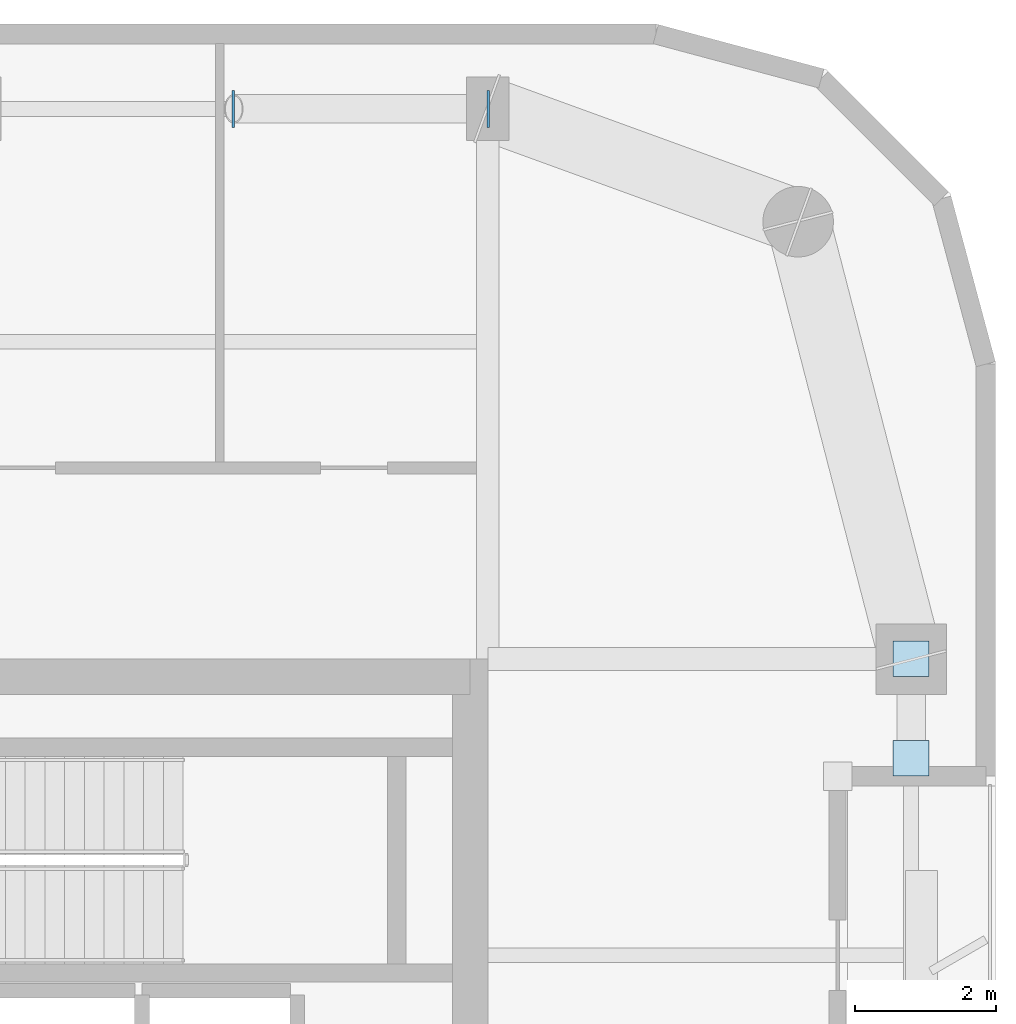
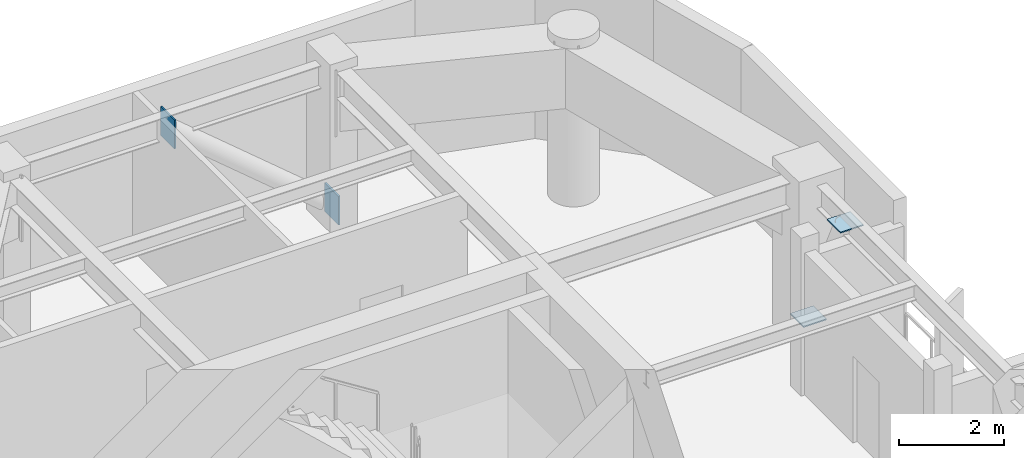
# One storey, part 9 of 15: 4 plates.
"""IFC4 building model written with IfcOpenShell, lengths in metres."""

from ifc_helpers import new_model, si_unit, direction, frame, origin, origin_2d, place, context, subcontext, project, spatial, rectangle, extrude, material, layer, layer_set, type_object, element, save


model = new_model("IFC4")

# Units and contexts
model_context = context("Model", 3, precision=1e-05, world=origin(), true_north=direction((0.0, 1.0)))
body_context = subcontext(model_context, "Body", "Model", "MODEL_VIEW")
ifc_project = project(units=[si_unit("LENGTHUNIT", "METRE"), si_unit("AREAUNIT", "SQUARE_METRE"), si_unit("VOLUMEUNIT", "CUBIC_METRE"), si_unit("PLANEANGLEUNIT", "RADIAN"), si_unit("MASSUNIT", "GRAM", prefix="KILO")], contexts=[model_context])

# Site, building, storey
site_placement = place(None, origin())
site = spatial("IfcSite", under=ifc_project, at=site_placement, CompositionType="ELEMENT")
building_placement = place(site_placement, origin())
building = spatial("IfcBuilding", under=site, at=building_placement, Name="Kiyonajd Concourse Tower", CompositionType="ELEMENT")
storey_placement = place(building_placement, frame((0.0, 0.0, 266.699951171875)))
storey = spatial("IfcBuildingStorey", under=building, at=storey_placement, Name="L67", CompositionType="ELEMENT", Elevation=266.699951171875)

# Plates
ifc_material = material(Name="Steel ASTM A572 Grade 50", Category="steel")
ifc_layer = layer(ifc_material, 0.028076171875)
ifc_layer_set = layer_set([ifc_layer], Name="Steel ASTM A572 Grade 50")
plate_type = type_object("IfcPlateType", Name="PL-CAP-450", PredefinedType="USERDEFINED", material=ifc_layer_set)
for number, where, z_axis, x_axis, name in (
    (1, (63.6083984375, 52.199951171875, -0.04248046875), (0.0, 0.0, 1.0), (1.0, 0.0, 0.0), "L67 Hollow Brace End Cap Plate PBN"),
    (2, (59.99169921875, 52.199951171875, 3.001708984375), (0.0, 0.0, 1.0), (-1.0, 0.0, 0.0), "L67 Hollow Brace Top Cap Plate PBN"),
):
    element("IfcPlate", number, at=place(storey_placement, frame(where, z_axis=z_axis, x_axis=x_axis)), inside=storey, type_object=plate_type, Name=name, ObjectType="CAP PLATE", PredefinedType="USERDEFINED", context=body_context, shape_type="SweptSolid", body=[
        extrude(rectangle(XDim=0.035888671875, YDim=0.52587890625, at=origin_2d()), origin(), (0.0, 0.0, 1.0), 0.6708984375),
    ])
for number, where, z_axis, x_axis, name in (
    (3, (69.60009765625, 44.404541015625, 0.27587890625), (0.0, 0.0, 1.0), (1.0, 0.0, 0.0), "L67 Hollow Brace End Cap Plate PBE"),
    (4, (69.60009765625, 42.995361328125, 3.326171875), (0.0, 0.0, 1.0), (1.0, 0.0, 0.0), "L67 Hollow Brace Top Cap Plate PBE"),
):
    element("IfcPlate", number, at=place(storey_placement, frame(where, z_axis=z_axis, x_axis=x_axis)), inside=storey, type_object=plate_type, Name=name, ObjectType="CAP PLATE", PredefinedType="USERDEFINED", context=body_context, shape_type="SweptSolid", body=[
        extrude(rectangle(XDim=0.506103515625, YDim=0.506103515625, at=origin_2d()), origin(), (0.0, 0.0, 1.0), 0.028076171875),
    ])

save(model, "model.ifc")
